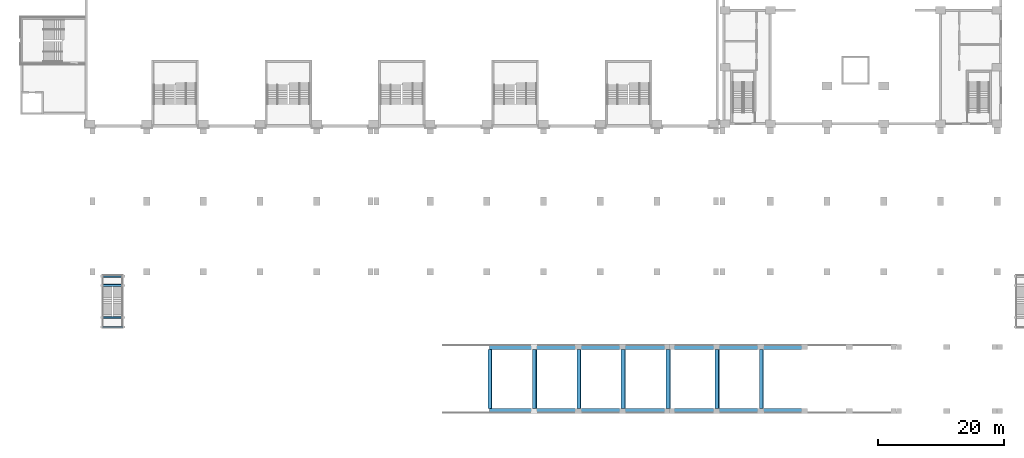
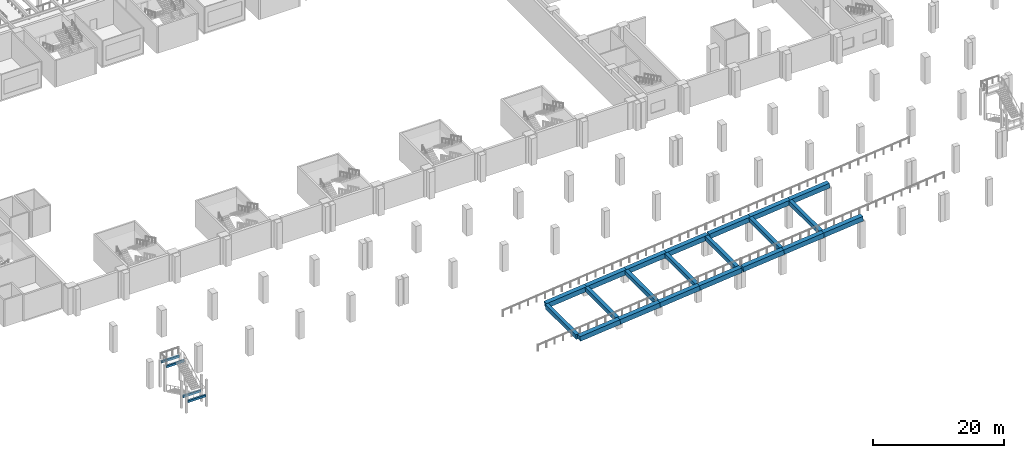
# One storey, part 7 of 67: 25 beams.
"""IFC4 building model written with IfcOpenShell, lengths in metres."""

from ifc_helpers import new_model, si_unit, direction, frame, origin, origin_2d, place, context, subcontext, project, spatial, rectangle, extrude, material, material_profile, profile_set, type_object, element, save


model = new_model("IFC4")

# Units and contexts
model_context = context("Model", 3, precision=1e-05, world=origin(), true_north=direction((0.0, 1.0)))
body_context = subcontext(model_context, "Body", "Model", "MODEL_VIEW")
ifc_project = project(units=[si_unit("LENGTHUNIT", "METRE"), si_unit("AREAUNIT", "SQUARE_METRE"), si_unit("VOLUMEUNIT", "CUBIC_METRE"), si_unit("PLANEANGLEUNIT", "RADIAN"), si_unit("MASSUNIT", "GRAM", prefix="KILO")], contexts=[model_context])

# Site, building, storey
site_placement = place(None, origin())
site = spatial("IfcSite", under=ifc_project, at=site_placement, CompositionType="ELEMENT")
building_placement = place(site_placement, origin())
building = spatial("IfcBuilding", under=site, at=building_placement, Name="Aravalli Gate Trade Fair Centre", CompositionType="ELEMENT")
storey_placement = place(building_placement, frame((0.0, 0.0, 5.0)))
storey = spatial("IfcBuildingStorey", under=building, at=storey_placement, Name="L01", CompositionType="ELEMENT", Elevation=5.0)

# Beams
ifc_material = material(Name="Concrete M45", Category="concrete")
ifc_material_profile_1 = material_profile(ifc_material, rectangle(XDim=0.60009765625, YDim=0.89990234375, at=origin_2d()), Name="Ramp cross beam RC 600 x 900")
ifc_profile_set_1 = profile_set([ifc_material_profile_1], Name="Concrete M45")
beam_type_1 = type_object("IfcBeamType", Name="Ramp cross beam RC 600 x 900", PredefinedType="BEAM", material=ifc_profile_set_1)
for number, where, z_axis, x_axis, name in (
    (1, (69.506591796875, 0.800048828125, 0.495361328125), (0.0, 1.0, 0.0), (-0.995037190449, 0.0, -0.099503716633), "Beam SB2-005"),
    (2, (76.58837890625, 0.800048828125, 1.20361328125), (0.0, 1.0, 0.0), (-0.995037190449, 0.0, -0.099503716633), "Beam SB2-006"),
    (3, (83.62060546875, 0.800048828125, 1.90673828125), (0.0, 1.0, 0.0), (-0.995037190449, 0.0, -0.099503716633), "Beam SB2-007"),
    (4, (90.652587890625, 0.800048828125, 2.610107421875), (0.0, 1.0, 0.0), (-0.995037190449, 0.0, -0.099503716633), "Beam SB2-008"),
    (5, (97.784423828125, 0.800048828125, 3.3232421875), (0.0, 1.0, 0.0), (-0.995037190449, 0.0, -0.099503716633), "Beam SB2-009"),
    (6, (105.556396484375, 0.800048828125, 4.100341796875), (0.0, 1.0, 0.0), (-0.995037190449, 0.0, -0.099503716633), "Beam SB2-010"),
    (7, (112.58837890625, 0.800048828125, 4.8037109375), (0.0, 1.0, 0.0), (-0.995037190449, 0.0, -0.099503716633), "Beam SB2-011"),
):
    element("IfcBeam", number, at=place(storey_placement, frame(where, z_axis=z_axis, x_axis=x_axis)), inside=storey, type_object=beam_type_1, Name=name, PredefinedType="BEAM", context=body_context, shape_type="SweptSolid", body=[
        extrude(rectangle(XDim=0.60009765625, YDim=0.89990234375, at=origin_2d()), origin(), (0.0, 0.0, 1.0), 9.39990234375),
    ])
ifc_material_profile_2 = material_profile(ifc_material, rectangle(XDim=0.800048828125, YDim=0.89990234375, at=origin_2d()), Name="Ramp edge beam RC 800 x 900")
ifc_profile_set_2 = profile_set([ifc_material_profile_2], Name="Concrete M45")
beam_type_2 = type_object("IfcBeamType", Name="Ramp edge beam RC 800 x 900", PredefinedType="BEAM", material=ifc_profile_set_2)
beam_1_placement = place(storey_placement, frame((69.506591796875, 0.39990234375, 0.495361328125), z_axis=(0.995036171248, 0.0, 0.099513908118), x_axis=(0.0, 1.0, 0.0)))
element("IfcBeam", 8, at=beam_1_placement, inside=storey, type_object=beam_type_2, Name="Beam SB1-010", PredefinedType="BEAM", context=body_context, shape_type="SweptSolid", body=[
    extrude(rectangle(XDim=0.800048828125, YDim=0.89990234375, at=origin_2d()), origin(), (0.0, 0.0, 1.0), 7.1171875),
])
beam_2_placement = place(storey_placement, frame((76.58837890625, 0.39990234375, 1.20361328125), z_axis=(0.995038558241, 0.0, 0.099490037763), x_axis=(0.0, 1.0, 0.0)))
element("IfcBeam", 9, at=beam_2_placement, inside=storey, type_object=beam_type_2, Name="Beam SB1-011", PredefinedType="BEAM", context=body_context, shape_type="SweptSolid", body=[
    extrude(rectangle(XDim=0.800048828125, YDim=0.89990234375, at=origin_2d()), origin(), (0.0, 0.0, 1.0), 7.0673828125),
])
beam_3_placement = place(storey_placement, frame((83.62060546875, 0.39990234375, 1.90673828125), z_axis=(0.995034795629, 0.0, 0.099527661917), x_axis=(0.0, 1.0, 0.0)))
element("IfcBeam", 10, at=beam_3_placement, inside=storey, type_object=beam_type_2, Name="Beam SB1-012", PredefinedType="BEAM", context=body_context, shape_type="SweptSolid", body=[
    extrude(rectangle(XDim=0.800048828125, YDim=0.89990234375, at=origin_2d()), origin(), (0.0, 0.0, 1.0), 7.067138671875),
])
beam_4_placement = place(storey_placement, frame((90.652587890625, 0.39990234375, 2.610107421875), z_axis=(0.995037513842, 0.0, 0.099500482643), x_axis=(0.0, 1.0, 0.0)))
element("IfcBeam", 11, at=beam_4_placement, inside=storey, type_object=beam_type_2, Name="Beam SB1-013", PredefinedType="BEAM", context=body_context, shape_type="SweptSolid", body=[
    extrude(rectangle(XDim=0.800048828125, YDim=0.89990234375, at=origin_2d()), origin(), (0.0, 0.0, 1.0), 7.468994140625),
])
beam_5_placement = place(storey_placement, frame((69.506591796875, 10.60009765625, 0.495361328125), z_axis=(0.995036171248, 0.0, 0.099513908118), x_axis=(0.0, 1.0, 0.0)))
element("IfcBeam", 12, at=beam_5_placement, inside=storey, type_object=beam_type_2, Name="Beam SB1-015", PredefinedType="BEAM", context=body_context, shape_type="SweptSolid", body=[
    extrude(rectangle(XDim=0.800048828125, YDim=0.89990234375, at=origin_2d()), origin(), (0.0, 0.0, 1.0), 7.1171875),
])
beam_6_placement = place(storey_placement, frame((76.58837890625, 10.60009765625, 1.20361328125), z_axis=(0.995038558241, 0.0, 0.099490037763), x_axis=(0.0, 1.0, 0.0)))
element("IfcBeam", 13, at=beam_6_placement, inside=storey, type_object=beam_type_2, Name="Beam SB1-016", PredefinedType="BEAM", context=body_context, shape_type="SweptSolid", body=[
    extrude(rectangle(XDim=0.800048828125, YDim=0.89990234375, at=origin_2d()), origin(), (0.0, 0.0, 1.0), 7.0673828125),
])
beam_7_placement = place(storey_placement, frame((83.62060546875, 10.60009765625, 1.90673828125), z_axis=(0.995034795629, 0.0, 0.099527661917), x_axis=(0.0, 1.0, 0.0)))
element("IfcBeam", 14, at=beam_7_placement, inside=storey, type_object=beam_type_2, Name="Beam SB1-017", PredefinedType="BEAM", context=body_context, shape_type="SweptSolid", body=[
    extrude(rectangle(XDim=0.800048828125, YDim=0.89990234375, at=origin_2d()), origin(), (0.0, 0.0, 1.0), 7.067138671875),
])
beam_8_placement = place(storey_placement, frame((90.652587890625, 10.60009765625, 2.610107421875), z_axis=(0.995037513842, 0.0, 0.099500482643), x_axis=(0.0, 1.0, 0.0)))
element("IfcBeam", 15, at=beam_8_placement, inside=storey, type_object=beam_type_2, Name="Beam SB1-018", PredefinedType="BEAM", context=body_context, shape_type="SweptSolid", body=[
    extrude(rectangle(XDim=0.800048828125, YDim=0.89990234375, at=origin_2d()), origin(), (0.0, 0.0, 1.0), 7.468994140625),
])
beam_9_placement = place(storey_placement, frame((98.324462890625, 0.39990234375, 3.377197265625), z_axis=(0.99503785536, 0.0, 0.0994970673), x_axis=(0.0, 1.0, 0.0)))
element("IfcBeam", 16, at=beam_9_placement, inside=storey, type_object=beam_type_2, Name="Beam SB1-019", PredefinedType="BEAM", context=body_context, shape_type="SweptSolid", body=[
    extrude(rectangle(XDim=0.800048828125, YDim=0.89990234375, at=origin_2d()), origin(), (0.0, 0.0, 1.0), 7.26806640625),
])
beam_10_placement = place(storey_placement, frame((105.556396484375, 0.39990234375, 4.100341796875), z_axis=(0.995034795629, 0.0, 0.099527661917), x_axis=(0.0, 1.0, 0.0)))
element("IfcBeam", 17, at=beam_10_placement, inside=storey, type_object=beam_type_2, Name="Beam SB1-020", PredefinedType="BEAM", context=body_context, shape_type="SweptSolid", body=[
    extrude(rectangle(XDim=0.800048828125, YDim=0.89990234375, at=origin_2d()), origin(), (0.0, 0.0, 1.0), 7.067138671875),
])
beam_11_placement = place(storey_placement, frame((112.58837890625, 0.39990234375, 4.8037109375), z_axis=(0.995038577993, 0.0, 0.09948984021), x_axis=(0.0, 1.0, 0.0)))
element("IfcBeam", 18, at=beam_11_placement, inside=storey, type_object=beam_type_2, Name="Beam SB1-021", PredefinedType="BEAM", context=body_context, shape_type="SweptSolid", body=[
    extrude(rectangle(XDim=0.800048828125, YDim=0.89990234375, at=origin_2d()), origin(), (0.0, 0.0, 1.0), 6.966796875),
])
beam_12_placement = place(storey_placement, frame((98.324462890625, 10.60009765625, 3.377197265625), z_axis=(0.99503785536, 0.0, 0.0994970673), x_axis=(0.0, 1.0, 0.0)))
element("IfcBeam", 19, at=beam_12_placement, inside=storey, type_object=beam_type_2, Name="Beam SB1-024", PredefinedType="BEAM", context=body_context, shape_type="SweptSolid", body=[
    extrude(rectangle(XDim=0.800048828125, YDim=0.89990234375, at=origin_2d()), origin(), (0.0, 0.0, 1.0), 7.26806640625),
])
beam_13_placement = place(storey_placement, frame((105.556396484375, 10.60009765625, 4.100341796875), z_axis=(0.995034795629, 0.0, 0.099527661917), x_axis=(0.0, 1.0, 0.0)))
element("IfcBeam", 20, at=beam_13_placement, inside=storey, type_object=beam_type_2, Name="Beam SB1-025", PredefinedType="BEAM", context=body_context, shape_type="SweptSolid", body=[
    extrude(rectangle(XDim=0.800048828125, YDim=0.89990234375, at=origin_2d()), origin(), (0.0, 0.0, 1.0), 7.067138671875),
])
beam_14_placement = place(storey_placement, frame((112.58837890625, 10.60009765625, 4.8037109375), z_axis=(0.995038577993, 0.0, 0.09948984021), x_axis=(0.0, 1.0, 0.0)))
element("IfcBeam", 21, at=beam_14_placement, inside=storey, type_object=beam_type_2, Name="Beam SB1-026", PredefinedType="BEAM", context=body_context, shape_type="SweptSolid", body=[
    extrude(rectangle(XDim=0.800048828125, YDim=0.89990234375, at=origin_2d()), origin(), (0.0, 0.0, 1.0), 6.966796875),
])
ifc_material_profile_3 = material_profile(ifc_material, rectangle(XDim=0.300048828125, YDim=0.39990234375, at=origin_2d()), Name="Stair landing beam RC 300 x 400")
ifc_profile_set_3 = profile_set([ifc_material_profile_3], Name="Concrete M45")
beam_type_3 = type_object("IfcBeamType", Name="Stair landing beam RC 300 x 400", PredefinedType="BEAM", material=ifc_profile_set_3)
for number, where, z_axis, x_axis, name in (
    (22, (8.0, 15.25, 2.050048828125), (1.0, 0.0, 0.0), (0.0, 1.0, 0.0), "Beam SB5-005"),
    (23, (8.0, 13.75, 2.050048828125), (1.0, 0.0, 0.0), (0.0, 1.0, 0.0), "Beam SB5-006"),
    (24, (8.0, 21.800048828125, 4.550048828125), (1.0, 0.0, 0.0), (0.0, 1.0, 0.0), "Beam SB5-007"),
    (25, (8.0, 20.35009765625, 4.550048828125), (1.0, 0.0, 0.0), (0.0, 1.0, 0.0), "Beam SB5-008"),
):
    element("IfcBeam", number, at=place(storey_placement, frame(where, z_axis=z_axis, x_axis=x_axis)), inside=storey, type_object=beam_type_3, Name=name, PredefinedType="BEAM", context=body_context, shape_type="SweptSolid", body=[
        extrude(rectangle(XDim=0.300048828125, YDim=0.39990234375, at=origin_2d()), origin(), (0.0, 0.0, 1.0), 3.199951171875),
    ])

save(model, "model.ifc")
